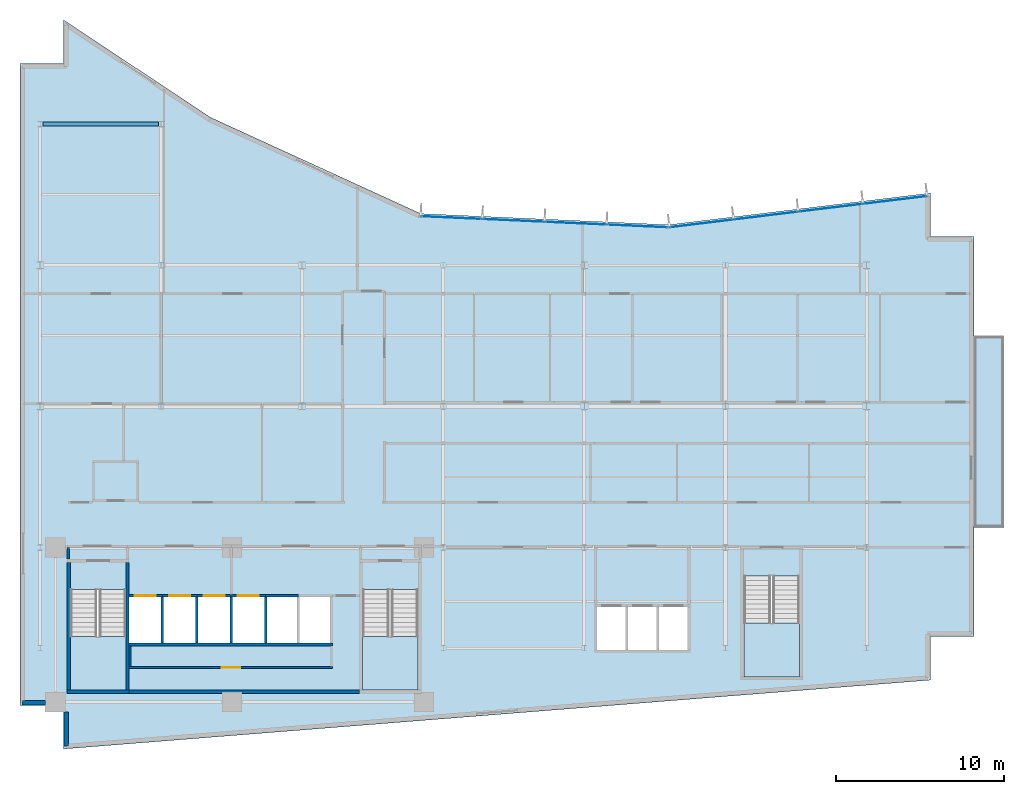
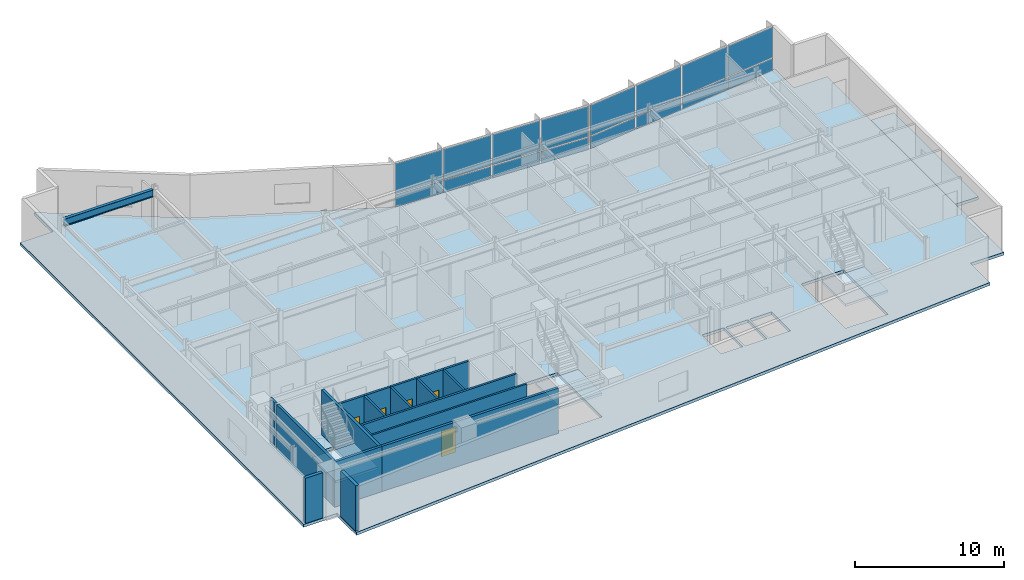
# One storey, part 8 of 17: 19 walls, 16 plates, 5 doors, 5 slabs, 1 beam, 5 openings, 5 elements without a shape of their own.
"""IFC4 building model written with IfcOpenShell, lengths in metres."""

from ifc_helpers import new_model, si_unit, direction, frame, frame_2d, origin, origin_2d, place, context, subcontext, project, spatial, polyline, rectangle, i_section, outline, extrude, material, layer, layer_set, material_profile, profile_set, type_object, element, fill, aggregate, save


model = new_model("IFC4")

# Units and contexts
model_context = context("Model", 3, precision=1e-05, world=origin(), true_north=direction((0.0, 1.0)))
body_context = subcontext(model_context, "Body", "Model", "MODEL_VIEW")
ifc_project = project(units=[si_unit("LENGTHUNIT", "METRE"), si_unit("AREAUNIT", "SQUARE_METRE"), si_unit("VOLUMEUNIT", "CUBIC_METRE"), si_unit("PLANEANGLEUNIT", "RADIAN"), si_unit("MASSUNIT", "GRAM", prefix="KILO")], contexts=[model_context])

# Site, building, storey
site_placement = place(None, origin())
site = spatial("IfcSite", under=ifc_project, at=site_placement, CompositionType="ELEMENT")
building_placement = place(site_placement, origin())
building = spatial("IfcBuilding", under=site, at=building_placement, Name="Varnakote Quay Hospital", CompositionType="ELEMENT")
storey_placement = place(building_placement, frame((0.0, 0.0, 134.949951171875)))
storey = spatial("IfcBuildingStorey", under=building, at=storey_placement, Name="L33", CompositionType="ELEMENT", Elevation=134.949951171875)

# Beam
ifc_material_1 = material(Name="Structural steel AS/NZS 3679.1 Grade 350 L0 (fy 340 MPa)", Category="steel")
ifc_material_profile = material_profile(ifc_material_1, i_section(OverallWidth=0.22802734375, OverallDepth=0.60205078125, WebThickness=0.010498046875, FlangeThickness=0.014892578125, FilletRadius=0.013916015625, at=origin_2d()), Name="610UB101")
ifc_profile_set = profile_set([ifc_material_profile], Name="Structural steel AS/NZS 3679.1 Grade 350 L0 (fy 340 MPa)")
beam_type = type_object("IfcBeamType", Name="BM-STL-610UB101", PredefinedType="BEAM", material=ifc_profile_set)
beam_placement = place(storey_placement, frame((1.3544921875, 37.199951171875, 3.408935546875), z_axis=(1.0, 0.0, 0.0), x_axis=(0.0, 1.0, 0.0)))
element("IfcBeam", 1, at=beam_placement, inside=storey, type_object=beam_type, Name="L33 Primary Floor Beam", PredefinedType="BEAM", context=body_context, shape_type="SweptSolid", body=[
    extrude(i_section(OverallWidth=0.22802734375, OverallDepth=0.60205078125, WebThickness=0.010498046875, FlangeThickness=0.014892578125, FilletRadius=0.013916015625, at=origin_2d()), origin(), (0.0, 0.0, 1.0), 6.89111328125),
])

# Curtain wall, plates
ifc_material_2 = material(Name="Anodised aluminium 6063-T6 Bronze", Category="aluminium")
ifc_layer_1 = layer(ifc_material_2, 0.205078125)
ifc_layer_set_1 = layer_set([ifc_layer_1], Name="Anodised aluminium 6063-T6 Bronze")
curtain_wall_type = type_object("IfcCurtainWallType", Name="CW-SYS-3", PredefinedType="NOTDEFINED", material=ifc_layer_set_1)
curtain_wall_1_placement = place(storey_placement, origin())
curtain_wall_1 = element("IfcCurtainWall", 2, at=curtain_wall_1_placement, inside=storey, type_object=curtain_wall_type, Name="L33 Unitised Bronze Curtain Wall 1", PredefinedType="NOTDEFINED")
ifc_material_3 = material(Name="Double-glazed low-E solar glass", Category="glass")
ifc_layer_2 = layer(ifc_material_3, 0.028076171875)
ifc_layer_set_2 = layer_set([ifc_layer_2], Name="Double-glazed low-E solar glass")
plate_type = type_object("IfcPlateType", Name="CW-PNL-GLZ-28", PredefinedType="CURTAIN_PANEL", material=ifc_layer_set_2)
plate_1_placement = place(storey_placement, frame((52.09521484375, 32.68359375, 0.0751953125), z_axis=(0.0, 0.0, 1.0), x_axis=(-0.992734295067, -0.12032713492, 0.0)))
plate_1 = element("IfcPlate", 3, at=plate_1_placement, type_object=plate_type, Name="-3-L33-1 panel 1.1", PredefinedType="CURTAIN_PANEL", context=body_context, shape_type="SweptSolid", body=[
    extrude(rectangle(XDim=3.76806640625, YDim=0.028076171875, at=origin_2d()), origin(), (0.0, 0.0, 1.0), 0.987548828125),
])
plate_2_placement = place(storey_placement, frame((52.09521484375, 32.68359375, 1.137451171875), z_axis=(0.0, 0.0, 1.0), x_axis=(-0.992734295067, -0.12032713492, 0.0)))
plate_2 = element("IfcPlate", 4, at=plate_2_placement, type_object=plate_type, Name="-3-L33-1 panel 1.2", PredefinedType="CURTAIN_PANEL", context=body_context, shape_type="SweptSolid", body=[
    extrude(rectangle(XDim=3.76806640625, YDim=0.028076171875, at=origin_2d()), origin(), (0.0, 0.0, 1.0), 2.49755859375),
])
plate_3_placement = place(storey_placement, frame((48.26123046875, 32.218994140625, 0.0751953125), z_axis=(0.0, 0.0, 1.0), x_axis=(-0.992734295067, -0.12032713492, 0.0)))
plate_3 = element("IfcPlate", 5, at=plate_3_placement, type_object=plate_type, Name="-3-L33-1 panel 2.1", PredefinedType="CURTAIN_PANEL", context=body_context, shape_type="SweptSolid", body=[
    extrude(rectangle(XDim=3.8056640625, YDim=0.028076171875, at=origin_2d()), origin(), (0.0, 0.0, 1.0), 0.987548828125),
])
plate_4_placement = place(storey_placement, frame((48.26123046875, 32.218994140625, 1.137451171875), z_axis=(0.0, 0.0, 1.0), x_axis=(-0.992734295067, -0.12032713492, 0.0)))
plate_4 = element("IfcPlate", 6, at=plate_4_placement, type_object=plate_type, Name="-3-L33-1 panel 2.2", PredefinedType="CURTAIN_PANEL", context=body_context, shape_type="SweptSolid", body=[
    extrude(rectangle(XDim=3.8056640625, YDim=0.028076171875, at=origin_2d()), origin(), (0.0, 0.0, 1.0), 2.49755859375),
])
plate_5_placement = place(storey_placement, frame((44.40869140625, 31.751953125, 0.0751953125), z_axis=(0.0, 0.0, 1.0), x_axis=(-0.992734295067, -0.12032713492, 0.0)))
plate_5 = element("IfcPlate", 7, at=plate_5_placement, type_object=plate_type, Name="-3-L33-1 panel 3.1", PredefinedType="CURTAIN_PANEL", context=body_context, shape_type="SweptSolid", body=[
    extrude(rectangle(XDim=3.8056640625, YDim=0.028076171875, at=origin_2d()), origin(), (0.0, 0.0, 1.0), 0.987548828125),
])
plate_6_placement = place(storey_placement, frame((44.40869140625, 31.751953125, 1.137451171875), z_axis=(0.0, 0.0, 1.0), x_axis=(-0.992734295067, -0.12032713492, 0.0)))
plate_6 = element("IfcPlate", 8, at=plate_6_placement, type_object=plate_type, Name="-3-L33-1 panel 3.2", PredefinedType="CURTAIN_PANEL", context=body_context, shape_type="SweptSolid", body=[
    extrude(rectangle(XDim=3.8056640625, YDim=0.028076171875, at=origin_2d()), origin(), (0.0, 0.0, 1.0), 2.49755859375),
])
plate_7_placement = place(storey_placement, frame((40.574951171875, 31.287353515625, 0.0751953125), z_axis=(0.0, 0.0, 1.0), x_axis=(-0.992734295067, -0.12032713492, 0.0)))
plate_7 = element("IfcPlate", 9, at=plate_7_placement, type_object=plate_type, Name="-3-L33-1 panel 4.1", PredefinedType="CURTAIN_PANEL", context=body_context, shape_type="SweptSolid", body=[
    extrude(rectangle(XDim=3.76806640625, YDim=0.028076171875, at=origin_2d()), origin(), (0.0, 0.0, 1.0), 0.987548828125),
])
plate_8_placement = place(storey_placement, frame((40.574951171875, 31.287353515625, 1.137451171875), z_axis=(0.0, 0.0, 1.0), x_axis=(-0.992734295067, -0.12032713492, 0.0)))
plate_8 = element("IfcPlate", 10, at=plate_8_placement, type_object=plate_type, Name="-3-L33-1 panel 4.2", PredefinedType="CURTAIN_PANEL", context=body_context, shape_type="SweptSolid", body=[
    extrude(rectangle(XDim=3.76806640625, YDim=0.028076171875, at=origin_2d()), origin(), (0.0, 0.0, 1.0), 2.49755859375),
])
aggregate(curtain_wall_1, [plate_1, plate_2, plate_3, plate_4, plate_5, plate_6, plate_7, plate_8])

curtain_wall_2_placement = place(storey_placement, origin())
curtain_wall_2 = element("IfcCurtainWall", 11, at=curtain_wall_2_placement, inside=storey, type_object=curtain_wall_type, Name="L33 Unitised Bronze Curtain Wall 2", PredefinedType="NOTDEFINED")
plate_9_placement = place(storey_placement, frame((36.759765625, 31.135498046875, 0.0751953125), z_axis=(0.0, 0.0, 1.0), x_axis=(-0.998996768014, 0.044782334659, 0.0)))
plate_9 = element("IfcPlate", 12, at=plate_9_placement, type_object=plate_type, Name="-3-L33-2 panel 1.1", PredefinedType="CURTAIN_PANEL", context=body_context, shape_type="SweptSolid", body=[
    extrude(rectangle(XDim=3.59423828125, YDim=0.028076171875, at=origin_2d()), origin(), (0.0, 0.0, 1.0), 0.987548828125),
])
plate_10_placement = place(storey_placement, frame((36.759765625, 31.135498046875, 1.137451171875), z_axis=(0.0, 0.0, 1.0), x_axis=(-0.998996768014, 0.044782334659, 0.0)))
plate_10 = element("IfcPlate", 13, at=plate_10_placement, type_object=plate_type, Name="-3-L33-2 panel 1.2", PredefinedType="CURTAIN_PANEL", context=body_context, shape_type="SweptSolid", body=[
    extrude(rectangle(XDim=3.59423828125, YDim=0.028076171875, at=origin_2d()), origin(), (0.0, 0.0, 1.0), 2.49755859375),
])
plate_11_placement = place(storey_placement, frame((33.075439453125, 31.300537109375, 0.0751953125), z_axis=(0.0, 0.0, 1.0), x_axis=(-0.998996768014, 0.044782334659, 0.0)))
plate_11 = element("IfcPlate", 14, at=plate_11_placement, type_object=plate_type, Name="-3-L33-2 panel 2.1", PredefinedType="CURTAIN_PANEL", context=body_context, shape_type="SweptSolid", body=[
    extrude(rectangle(XDim=3.6318359375, YDim=0.028076171875, at=origin_2d()), origin(), (0.0, 0.0, 1.0), 0.987548828125),
])
plate_12_placement = place(storey_placement, frame((33.075439453125, 31.300537109375, 1.137451171875), z_axis=(0.0, 0.0, 1.0), x_axis=(-0.998996768014, 0.044782334659, 0.0)))
plate_12 = element("IfcPlate", 15, at=plate_12_placement, type_object=plate_type, Name="-3-L33-2 panel 2.2", PredefinedType="CURTAIN_PANEL", context=body_context, shape_type="SweptSolid", body=[
    extrude(rectangle(XDim=3.6318359375, YDim=0.028076171875, at=origin_2d()), origin(), (0.0, 0.0, 1.0), 2.49755859375),
])
plate_13_placement = place(storey_placement, frame((29.372314453125, 31.466552734375, 0.0751953125), z_axis=(0.0, 0.0, 1.0), x_axis=(-0.998996768014, 0.044782334659, 0.0)))
plate_13 = element("IfcPlate", 16, at=plate_13_placement, type_object=plate_type, Name="-3-L33-2 panel 3.1", PredefinedType="CURTAIN_PANEL", context=body_context, shape_type="SweptSolid", body=[
    extrude(rectangle(XDim=3.6318359375, YDim=0.028076171875, at=origin_2d()), origin(), (0.0, 0.0, 1.0), 0.987548828125),
])
plate_14_placement = place(storey_placement, frame((29.372314453125, 31.466552734375, 1.137451171875), z_axis=(0.0, 0.0, 1.0), x_axis=(-0.998996768014, 0.044782334659, 0.0)))
plate_14 = element("IfcPlate", 17, at=plate_14_placement, type_object=plate_type, Name="-3-L33-2 panel 3.2", PredefinedType="CURTAIN_PANEL", context=body_context, shape_type="SweptSolid", body=[
    extrude(rectangle(XDim=3.6318359375, YDim=0.028076171875, at=origin_2d()), origin(), (0.0, 0.0, 1.0), 2.49755859375),
])
plate_15_placement = place(storey_placement, frame((25.68798828125, 31.6318359375, 0.0751953125), z_axis=(0.0, 0.0, 1.0), x_axis=(-0.998996768014, 0.044782334659, 0.0)))
plate_15 = element("IfcPlate", 18, at=plate_15_placement, type_object=plate_type, Name="-3-L33-2 panel 4.1", PredefinedType="CURTAIN_PANEL", context=body_context, shape_type="SweptSolid", body=[
    extrude(rectangle(XDim=3.59423828125, YDim=0.028076171875, at=origin_2d()), origin(), (0.0, 0.0, 1.0), 0.987548828125),
])
plate_16_placement = place(storey_placement, frame((25.68798828125, 31.6318359375, 1.137451171875), z_axis=(0.0, 0.0, 1.0), x_axis=(-0.998996768014, 0.044782334659, 0.0)))
plate_16 = element("IfcPlate", 19, at=plate_16_placement, type_object=plate_type, Name="-3-L33-2 panel 4.2", PredefinedType="CURTAIN_PANEL", context=body_context, shape_type="SweptSolid", body=[
    extrude(rectangle(XDim=3.59423828125, YDim=0.028076171875, at=origin_2d()), origin(), (0.0, 0.0, 1.0), 2.49755859375),
])
aggregate(curtain_wall_2, [plate_9, plate_10, plate_11, plate_12, plate_13, plate_14, plate_15, plate_16])

# Stair, slab
ifc_material_4 = material(Name="Concrete N40 (f'c 40 MPa)", Category="concrete")
stair_type = type_object("IfcStairType", Name="STR-CORE-1580", PredefinedType="HALF_TURN_STAIR", material=ifc_material_4)
stair_1_placement = place(storey_placement, origin())
stair_1 = element("IfcStair", 20, at=stair_1_placement, inside=storey, type_object=stair_type, Name="L33 Fire-Isolated Exit Stair ST-01", PredefinedType="HALF_TURN_STAIR")
ifc_material_5 = material(Name="Concrete N40 (f'c 40 MPa)", Category="concrete")
ifc_layer_3 = layer(ifc_material_5, 0.199951171875)
ifc_layer_set_3 = layer_set([ifc_layer_3], Name="Concrete N40 (f'c 40 MPa)")
slab_type_1 = type_object("IfcSlabType", Name="SLB-STAIR-LND-200", PredefinedType="LANDING", material=ifc_layer_set_3)
slab_1_placement = place(storey_placement, frame((0.0, 0.0, 1.775146484375)))
slab_1 = element("IfcSlab", 21, at=slab_1_placement, type_object=slab_type_1, Name="ST-01 landing 1", PredefinedType="LANDING", context=body_context, shape_type="SweptSolid", body=[
    extrude(outline(polyline([(3.0, 6.699951171875), (3.0, 3.5), (6.300048828125, 3.5), (6.300048828125, 6.699951171875), (3.0, 6.699951171875)])), origin(), (0.0, 0.0, 1.0), 0.199951171875),
])
aggregate(stair_1, [slab_1])

stair_2_placement = place(storey_placement, origin())
stair_2 = element("IfcStair", 22, at=stair_2_placement, inside=storey, type_object=stair_type, Name="L33 Fire-Isolated Exit Stair ST-02", PredefinedType="HALF_TURN_STAIR")
slab_2_placement = place(storey_placement, frame((0.0, 0.0, 1.775146484375)))
slab_2 = element("IfcSlab", 23, at=slab_2_placement, type_object=slab_type_1, Name="ST-02 landing 1", PredefinedType="LANDING", context=body_context, shape_type="SweptSolid", body=[
    extrude(outline(polyline([(20.39990234375, 6.699951171875), (20.39990234375, 3.5), (23.699951171875, 3.5), (23.699951171875, 6.699951171875), (20.39990234375, 6.699951171875)])), origin(), (0.0, 0.0, 1.0), 0.199951171875),
])
aggregate(stair_2, [slab_2])

stair_3_placement = place(storey_placement, origin())
stair_3 = element("IfcStair", 24, at=stair_3_placement, inside=storey, type_object=stair_type, Name="L33 Fire-Isolated Exit Stair ST-03", PredefinedType="HALF_TURN_STAIR")
slab_3_placement = place(storey_placement, frame((0.0, 0.0, 1.775146484375)))
slab_3 = element("IfcSlab", 25, at=slab_3_placement, type_object=slab_type_1, Name="ST-03 landing 1", PredefinedType="LANDING", context=body_context, shape_type="SweptSolid", body=[
    extrude(outline(polyline([(43.10009765625, 7.5), (43.10009765625, 4.300048828125), (46.39990234375, 4.300048828125), (46.39990234375, 7.5), (43.10009765625, 7.5)])), origin(), (0.0, 0.0, 1.0), 0.199951171875),
])
aggregate(stair_3, [slab_3])

# Slabs
ifc_material_6 = material(Name="Concrete N50 (f'c 50 MPa)", Category="concrete")
ifc_layer_4 = layer(ifc_material_6, 0.239990234375)
ifc_layer_set_4 = layer_set([ifc_layer_4], Name="Concrete N50 (f'c 50 MPa)")
slab_type_2 = type_object("IfcSlabType", Name="SLB-TERR-200", PredefinedType="FLOOR", material=ifc_layer_set_4)
slab_4_placement = place(storey_placement, frame((0.0, 0.0, -0.239990234375)))
element("IfcSlab", 26, at=slab_4_placement, inside=storey, type_object=slab_type_2, Name="L33 Waterfront Healing Terrace Slab", PredefinedType="FLOOR", context=body_context, shape_type="SweptSolid", body=[
    extrude(outline(polyline([(56.7958984375, 13.199951171875), (58.580078125, 13.199951171875), (58.580078125, 24.60009765625), (56.7958984375, 24.60009765625), (56.7958984375, 13.199951171875)])), origin(), (0.0, 0.0, 1.0), 0.239990234375),
])
ifc_material_7 = material(Name="Concrete N50 (f'c 50 MPa)", Category="concrete")
ifc_layer_5 = layer(ifc_material_7, 0.239990234375)
ifc_layer_set_5 = layer_set([ifc_layer_5], Name="Concrete N50 (f'c 50 MPa)")
slab_type_3 = type_object("IfcSlabType", Name="SLB-WARD-200", PredefinedType="FLOOR", material=ifc_layer_set_5)
slab_5_placement = place(storey_placement, frame((0.0, 0.0, -0.239990234375)))
element("IfcSlab", 27, at=slab_5_placement, inside=storey, type_object=slab_type_3, Name="L33 Primary Floor Slab", PredefinedType="FLOOR", context=body_context, shape_type="SweptSolid", body=[
    extrude(outline(polyline([(0.0, 2.60009765625), (2.60009765625, 2.60009765625), (2.60009765625, 0.0), (54.199951171875, 4.10009765625), (54.199951171875, 6.699951171875), (56.800048828125, 6.699951171875), (56.800048828125, 30.5), (54.199951171875, 30.5), (54.199951171875, 33.10009765625), (38.6240234375, 31.2119140625), (23.85595703125, 31.8740234375), (11.360107421875, 37.595947265625), (2.60009765625, 43.39990234375), (2.60009765625, 40.800048828125), (0.0, 40.800048828125), (0.0, 2.60009765625)]), holes=[polyline([(3.0, 3.5), (6.300048828125, 3.5), (6.300048828125, 9.49951171875), (3.0, 9.49951171875), (3.0, 3.5)]), polyline([(20.39990234375, 3.5), (23.699951171875, 3.5), (23.699951171875, 9.49951171875), (20.39990234375, 9.49951171875), (20.39990234375, 3.5)]), polyline([(43.10009765625, 4.300048828125), (46.39990234375, 4.300048828125), (46.39990234375, 10.29931640625), (43.10009765625, 10.29931640625), (43.10009765625, 4.300048828125)]), polyline([(6.5, 6.300048828125), (8.39990234375, 6.300048828125), (8.39990234375, 9.050048828125), (6.5, 9.050048828125), (6.5, 6.300048828125)]), polyline([(8.550048828125, 6.300048828125), (10.449951171875, 6.300048828125), (10.449951171875, 9.050048828125), (8.550048828125, 9.050048828125), (8.550048828125, 6.300048828125)]), polyline([(10.60009765625, 6.300048828125), (12.5, 6.300048828125), (12.5, 9.050048828125), (10.60009765625, 9.050048828125), (10.60009765625, 6.300048828125)]), polyline([(12.64990234375, 6.300048828125), (14.550048828125, 6.300048828125), (14.550048828125, 9.050048828125), (12.64990234375, 9.050048828125), (12.64990234375, 6.300048828125)]), polyline([(14.699951171875, 6.300048828125), (16.5, 6.300048828125), (16.5, 9.050048828125), (14.699951171875, 9.050048828125), (14.699951171875, 6.300048828125)]), polyline([(16.64990234375, 6.300048828125), (18.449951171875, 6.300048828125), (18.449951171875, 9.050048828125), (16.64990234375, 9.050048828125), (16.64990234375, 6.300048828125)]), polyline([(34.35009765625, 5.89990234375), (36.050048828125, 5.89990234375), (36.050048828125, 8.449951171875), (34.35009765625, 8.449951171875), (34.35009765625, 5.89990234375)]), polyline([(36.199951171875, 5.89990234375), (37.89990234375, 5.89990234375), (37.89990234375, 8.449951171875), (36.199951171875, 8.449951171875), (36.199951171875, 5.89990234375)]), polyline([(38.050048828125, 5.89990234375), (39.75, 5.89990234375), (39.75, 8.449951171875), (38.050048828125, 8.449951171875), (38.050048828125, 5.89990234375)])]), origin(), (0.0, 0.0, 1.0), 0.239990234375),
])

# Walls
ifc_material_8 = material(Name="Fire-rated acoustic gypsum stud wall", Category="gypsum")
ifc_layer_6 = layer(ifc_material_8, 0.159912109375)
ifc_layer_set_6 = layer_set([ifc_layer_6], Name="Fire-rated acoustic gypsum stud wall")
wall_type_1 = type_object("IfcWallType", Name="WL-COMP-160", PredefinedType="PARTITIONING", material=ifc_layer_set_6)
wall_1_placement = place(storey_placement, frame((2.8798828125, 11.300048828125, 0.0), z_axis=(0.0, 0.0, 1.0), x_axis=(0.0, 1.0, 0.0)))
element("IfcWall", 28, at=wall_1_placement, inside=storey, type_object=wall_type_1, Name="L33 West Stair Vestibule West Wall", PredefinedType="PARTITIONING", context=body_context, shape_type="SweptSolid", body=[
    extrude(rectangle(XDim=0.699951171875, YDim=0.159912109375, at=frame_2d((0.35009765625, 0.0))), origin(), (0.0, 0.0, 1.0), 3.7099609375),
])
ifc_material_9 = material(Name="Concrete N65 (f'c 65 MPa)", Category="concrete")
ifc_layer_7 = layer(ifc_material_9, 0.199951171875)
ifc_layer_set_7 = layer_set([ifc_layer_7], Name="Concrete N65 (f'c 65 MPa)")
wall_type_2 = type_object("IfcWallType", Name="WL-CORE-N65-200", PredefinedType="SHEAR", material=ifc_layer_set_7)
wall_2_placement = place(storey_placement, frame((6.5, 3.39990234375, 0.0), z_axis=(0.0, 0.0, 1.0), x_axis=(1.0, 0.0, 0.0)))
element("IfcWall", 29, at=wall_2_placement, inside=storey, type_object=wall_type_2, Name="L33 Rear Core South Shear Wall", PredefinedType="SHEAR", context=body_context, shape_type="SweptSolid", body=[
    extrude(rectangle(XDim=13.699951171875, YDim=0.199951171875, at=frame_2d((6.85009765625, 0.0))), origin(), (0.0, 0.0, 1.0), 3.7099609375),
])
ifc_material_10 = material(Name="Precast concrete N50 (f'c 50 MPa)", Category="concrete")
ifc_layer_8 = layer(ifc_material_10, 0.260009765625)
ifc_layer_set_8 = layer_set([ifc_layer_8], Name="Precast concrete N50 (f'c 50 MPa)")
wall_type_3 = type_object("IfcWallType", Name="WL-EXT-BRICK-260", PredefinedType="STANDARD", material=ifc_layer_set_8)
wall_3_placement = place(storey_placement, frame((2.760009765625, 2.215087890625, 0.0), z_axis=(0.0, 0.0, 1.0), x_axis=(0.0, -1.0, 0.0)))
element("IfcWall", 30, at=wall_3_placement, inside=storey, type_object=wall_type_3, Name="L33 Brick-Faced Precast Exterior Wall", PredefinedType="STANDARD", context=body_context, shape_type="SweptSolid", body=[
    extrude(rectangle(XDim=2.0419921875, YDim=0.260009765625, at=frame_2d((1.02099609375, 0.0))), origin(), (0.0, 0.0, 1.0), 3.7099609375),
])
wall_4_placement = place(storey_placement, frame((0.159912109375, 2.760009765625, 0.0), z_axis=(0.0, 0.0, 1.0), x_axis=(1.0, 0.0, 0.0)))
element("IfcWall", 31, at=wall_4_placement, inside=storey, type_object=wall_type_3, Name="L33 Brick-Faced Precast Exterior Wall", PredefinedType="STANDARD", context=body_context, shape_type="SweptSolid", body=[
    extrude(rectangle(XDim=1.35498046875, YDim=0.260009765625, at=frame_2d((0.677490234375, 0.0))), origin(), (0.0, 0.0, 1.0), 3.7099609375),
])
ifc_material_11 = material(Name="Concrete N50 (f'c 50 MPa)", Category="concrete")
ifc_layer_9 = layer(ifc_material_11, 0.14990234375)
ifc_layer_set_9 = layer_set([ifc_layer_9], Name="Concrete N50 (f'c 50 MPa)")
wall_type_4 = type_object("IfcWallType", Name="WL-SHAFT-N50-150", PredefinedType="SHEAR", material=ifc_layer_set_9)
for number, where, z_axis, x_axis, name in (
    (32, (8.47509765625, 6.300048828125, 0.0), (0.0, 0.0, 1.0), (0.0, 1.0, 0.0), "L33 LF-FF1 Hoistway Divider Wall"),
    (33, (10.52490234375, 6.300048828125, 0.0), (0.0, 0.0, 1.0), (0.0, 1.0, 0.0), "L33 LF-FF2 Hoistway Divider Wall"),
    (34, (12.574951171875, 6.300048828125, 0.0), (0.0, 0.0, 1.0), (0.0, 1.0, 0.0), "L33 LF-SV1 Hoistway Divider Wall"),
    (35, (14.625, 6.300048828125, 0.0), (0.0, 0.0, 1.0), (0.0, 1.0, 0.0), "L33 LF-SV2 Hoistway Divider Wall"),
):
    element("IfcWall", number, at=place(storey_placement, frame(where, z_axis=z_axis, x_axis=x_axis)), inside=storey, type_object=wall_type_4, Name=name, PredefinedType="SHEAR", context=body_context, shape_type="SweptSolid", body=[
        extrude(rectangle(XDim=2.75, YDim=0.14990234375, at=frame_2d((1.375, 0.0))), origin(), (0.0, 0.0, 1.0), 3.7099609375),
    ])
ifc_material_12 = material(Name="Concrete N50 (f'c 50 MPa)", Category="concrete")
ifc_layer_10 = layer(ifc_material_12, 0.159912109375)
ifc_layer_set_10 = layer_set([ifc_layer_10], Name="Concrete N50 (f'c 50 MPa)")
wall_type_5 = type_object("IfcWallType", Name="WL-SHAFT-N50-160", PredefinedType="SHEAR", material=ifc_layer_set_10)
wall_5_placement = place(storey_placement, frame((6.5, 6.219970703125, 0.0), z_axis=(0.0, 0.0, 1.0), x_axis=(1.0, 0.0, 0.0)))
element("IfcWall", 36, at=wall_5_placement, inside=storey, type_object=wall_type_5, Name="L33 REAR Lift Bank Back Shear Wall", PredefinedType="SHEAR", context=body_context, shape_type="SweptSolid", body=[
    extrude(rectangle(XDim=12.110107421875, YDim=0.159912109375, at=frame_2d((6.05517578125, 0.0))), origin(), (0.0, 0.0, 1.0), 3.7099609375),
])

# Wall, opening, door
wall_6_placement = place(storey_placement, frame((6.5, 9.1298828125, 0.0), z_axis=(0.0, 0.0, 1.0), x_axis=(1.0, 0.0, 0.0)))
wall_6 = element("IfcWall", 37, at=wall_6_placement, inside=storey, type_object=wall_type_5, Name="L33 LF-FF1 Hoistway Front Wall", PredefinedType="SHEAR", context=body_context, shape_type="SweptSolid", body=[
    extrude(rectangle(XDim=1.97509765625, YDim=0.159912109375, at=frame_2d((0.987548828125, 0.0))), origin(), (0.0, 0.0, 1.0), 3.7099609375),
])
opening_1_placement = place(wall_6_placement, frame((0.324951171875, 0.0, 0.0)))
opening_1 = element("IfcOpeningElement", 38, at=opening_1_placement, cuts=wall_6, Name="Opening LD-FF1-L33", PredefinedType="OPENING", context=body_context, shape_type="SweptSolid", body=[
    extrude(rectangle(XDim=1.25, YDim=2.14990234375, at=frame_2d((0.625, 1.074951171875))), frame((0.0, 0.08984375, 0.0), z_axis=(0.0, -1.0, 0.0), x_axis=(1.0, 0.0, 0.0)), (0.0, 0.0, 1.0), 0.179931640625),
])
ifc_material_13 = material(Name="Stainless steel lift landing sliding door", Category="steel")
door_type_1 = type_object("IfcDoorType", Name="DR-LIFT-LD-1250x2150", OperationType="NOTDEFINED", PredefinedType="DOOR", material=ifc_material_13)
door_1_placement = place(opening_1_placement, origin())
door_1 = element("IfcDoor", 39, at=door_1_placement, inside=storey, type_object=door_type_1, Name="L33 LF-FF1 Lift Landing Sliding Door", OperationType="SLIDING_TO_LEFT", OverallHeight=2.14990234375, OverallWidth=1.25, PredefinedType="DOOR", context=body_context, shape_type="SweptSolid", body=[
    extrude(rectangle(XDim=1.25, YDim=2.14990234375, at=frame_2d((0.625, 1.074951171875))), frame((0.0, 0.02490234375, 0.0), z_axis=(0.0, -1.0, 0.0), x_axis=(1.0, 0.0, 0.0)), (0.0, 0.0, 1.0), 0.050048828125),
])
fill(opening_1, door_1)

wall_7_placement = place(storey_placement, frame((8.47509765625, 9.1298828125, 0.0), z_axis=(0.0, 0.0, 1.0), x_axis=(1.0, 0.0, 0.0)))
wall_7 = element("IfcWall", 40, at=wall_7_placement, inside=storey, type_object=wall_type_5, Name="L33 LF-FF2 Hoistway Front Wall", PredefinedType="SHEAR", context=body_context, shape_type="SweptSolid", body=[
    extrude(rectangle(XDim=2.0498046875, YDim=0.159912109375, at=frame_2d((1.02490234375, 0.0))), origin(), (0.0, 0.0, 1.0), 3.7099609375),
])
opening_2_placement = place(wall_7_placement, frame((0.39990234375, 0.0, 0.0)))
opening_2 = element("IfcOpeningElement", 41, at=opening_2_placement, cuts=wall_7, Name="Opening LD-FF2-L33", PredefinedType="OPENING", context=body_context, shape_type="SweptSolid", body=[
    extrude(rectangle(XDim=1.25, YDim=2.14990234375, at=frame_2d((0.625, 1.074951171875))), frame((0.0, 0.08984375, 0.0), z_axis=(0.0, -1.0, 0.0), x_axis=(1.0, 0.0, 0.0)), (0.0, 0.0, 1.0), 0.179931640625),
])
door_2_placement = place(opening_2_placement, origin())
door_2 = element("IfcDoor", 42, at=door_2_placement, inside=storey, type_object=door_type_1, Name="L33 LF-FF2 Lift Landing Sliding Door", OperationType="SLIDING_TO_LEFT", OverallHeight=2.14990234375, OverallWidth=1.25, PredefinedType="DOOR", context=body_context, shape_type="SweptSolid", body=[
    extrude(rectangle(XDim=1.25, YDim=2.14990234375, at=frame_2d((0.625, 1.074951171875))), frame((0.0, 0.02490234375, 0.0), z_axis=(0.0, -1.0, 0.0), x_axis=(1.0, 0.0, 0.0)), (0.0, 0.0, 1.0), 0.050048828125),
])
fill(opening_2, door_2)

wall_8_placement = place(storey_placement, frame((10.52490234375, 9.1298828125, 0.0), z_axis=(0.0, 0.0, 1.0), x_axis=(1.0, 0.0, 0.0)))
wall_8 = element("IfcWall", 43, at=wall_8_placement, inside=storey, type_object=wall_type_5, Name="L33 LF-SV1 Hoistway Front Wall", PredefinedType="SHEAR", context=body_context, shape_type="SweptSolid", body=[
    extrude(rectangle(XDim=2.050048828125, YDim=0.159912109375, at=frame_2d((1.02490234375, 0.0))), origin(), (0.0, 0.0, 1.0), 3.7099609375),
])
opening_3_placement = place(wall_8_placement, frame((0.39990234375, 0.0, 0.0)))
opening_3 = element("IfcOpeningElement", 44, at=opening_3_placement, cuts=wall_8, Name="Opening LD-SV1-L33", PredefinedType="OPENING", context=body_context, shape_type="SweptSolid", body=[
    extrude(rectangle(XDim=1.25, YDim=2.14990234375, at=frame_2d((0.625, 1.074951171875))), frame((0.0, 0.08984375, 0.0), z_axis=(0.0, -1.0, 0.0), x_axis=(1.0, 0.0, 0.0)), (0.0, 0.0, 1.0), 0.179931640625),
])
door_3_placement = place(opening_3_placement, origin())
door_3 = element("IfcDoor", 45, at=door_3_placement, inside=storey, type_object=door_type_1, Name="L33 LF-SV1 Lift Landing Sliding Door", OperationType="SLIDING_TO_LEFT", OverallHeight=2.14990234375, OverallWidth=1.25, PredefinedType="DOOR", context=body_context, shape_type="SweptSolid", body=[
    extrude(rectangle(XDim=1.25, YDim=2.14990234375, at=frame_2d((0.625, 1.074951171875))), frame((0.0, 0.02490234375, 0.0), z_axis=(0.0, -1.0, 0.0), x_axis=(1.0, 0.0, 0.0)), (0.0, 0.0, 1.0), 0.050048828125),
])
fill(opening_3, door_3)

wall_9_placement = place(storey_placement, frame((12.574951171875, 9.1298828125, 0.0), z_axis=(0.0, 0.0, 1.0), x_axis=(1.0, 0.0, 0.0)))
wall_9 = element("IfcWall", 46, at=wall_9_placement, inside=storey, type_object=wall_type_5, Name="L33 LF-SV2 Hoistway Front Wall", PredefinedType="SHEAR", context=body_context, shape_type="SweptSolid", body=[
    extrude(rectangle(XDim=2.050048828125, YDim=0.159912109375, at=frame_2d((1.02490234375, 0.0))), origin(), (0.0, 0.0, 1.0), 3.7099609375),
])
opening_4_placement = place(wall_9_placement, frame((0.39990234375, 0.0, 0.0)))
opening_4 = element("IfcOpeningElement", 47, at=opening_4_placement, cuts=wall_9, Name="Opening LD-SV2-L33", PredefinedType="OPENING", context=body_context, shape_type="SweptSolid", body=[
    extrude(rectangle(XDim=1.25, YDim=2.14990234375, at=frame_2d((0.625, 1.074951171875))), frame((0.0, 0.08984375, 0.0), z_axis=(0.0, -1.0, 0.0), x_axis=(1.0, 0.0, 0.0)), (0.0, 0.0, 1.0), 0.179931640625),
])
door_4_placement = place(opening_4_placement, origin())
door_4 = element("IfcDoor", 48, at=door_4_placement, inside=storey, type_object=door_type_1, Name="L33 LF-SV2 Lift Landing Sliding Door", OperationType="SLIDING_TO_LEFT", OverallHeight=2.14990234375, OverallWidth=1.25, PredefinedType="DOOR", context=body_context, shape_type="SweptSolid", body=[
    extrude(rectangle(XDim=1.25, YDim=2.14990234375, at=frame_2d((0.625, 1.074951171875))), frame((0.0, 0.02490234375, 0.0), z_axis=(0.0, -1.0, 0.0), x_axis=(1.0, 0.0, 0.0)), (0.0, 0.0, 1.0), 0.050048828125),
])
fill(opening_4, door_4)

# Walls
wall_10_placement = place(storey_placement, frame((14.625, 9.1298828125, 0.0), z_axis=(0.0, 0.0, 1.0), x_axis=(1.0, 0.0, 0.0)))
element("IfcWall", 49, at=wall_10_placement, inside=storey, type_object=wall_type_5, Name="L33 LF-PH1 Hoistway Front Wall", PredefinedType="SHEAR", context=body_context, shape_type="SweptSolid", body=[
    extrude(rectangle(XDim=1.949951171875, YDim=0.159912109375, at=frame_2d((0.97509765625, 0.0))), origin(), (0.0, 0.0, 1.0), 3.7099609375),
])
ifc_material_14 = material(Name="Concrete N50 (f'c 50 MPa)", Category="concrete")
ifc_layer_11 = layer(ifc_material_14, 0.199951171875)
ifc_layer_set_11 = layer_set([ifc_layer_11], Name="Concrete N50 (f'c 50 MPa)")
wall_type_6 = type_object("IfcWallType", Name="WL-SHAFT-N50-200", PredefinedType="SHEAR", material=ifc_layer_set_11)
wall_11_placement = place(storey_placement, frame((2.800048828125, 3.39990234375, 0.0), z_axis=(0.0, 0.0, 1.0), x_axis=(1.0, 0.0, 0.0)))
element("IfcWall", 50, at=wall_11_placement, inside=storey, type_object=wall_type_6, Name="L33 Stair ST1 South Shaft Wall", PredefinedType="SHEAR", context=body_context, shape_type="SweptSolid", body=[
    extrude(rectangle(XDim=3.699951171875, YDim=0.199951171875, at=frame_2d((1.85009765625, 0.0))), origin(), (0.0, 0.0, 1.0), 3.7099609375),
])
for number, where, z_axis, x_axis, name in (
    (51, (2.89990234375, 3.5, 0.0), (0.0, 0.0, 1.0), (0.0, 1.0, 0.0), "L33 Stair ST1 West Shaft Wall"),
    (52, (6.39990234375, 3.5, 0.0), (0.0, 0.0, 1.0), (0.0, 1.0, 0.0), "L33 Stair ST1 East Shaft Wall"),
):
    element("IfcWall", number, at=place(storey_placement, frame(where, z_axis=z_axis, x_axis=x_axis)), inside=storey, type_object=wall_type_6, Name=name, PredefinedType="SHEAR", context=body_context, shape_type="SweptSolid", body=[
        extrude(rectangle(XDim=7.60009765625, YDim=0.199951171875, at=frame_2d((3.800048828125, 0.0))), origin(), (0.0, 0.0, 1.0), 3.7099609375),
    ])
ifc_material_15 = material(Name="Smoke-proof clinical partition", Category="gypsum")
ifc_layer_12 = layer(ifc_material_15, 0.1201171875)
ifc_layer_set_12 = layer_set([ifc_layer_12], Name="Smoke-proof clinical partition")
wall_type_7 = type_object("IfcWallType", Name="WL-SMOKE-120", PredefinedType="PARTITIONING", material=ifc_layer_set_12)
wall_12_placement = place(storey_placement, frame((6.56005859375, 4.919921875, 0.0), z_axis=(0.0, 0.0, 1.0), x_axis=(0.0, 1.0, 0.0)))
element("IfcWall", 53, at=wall_12_placement, inside=storey, type_object=wall_type_7, Name="L33 Core Service Strip West Wall", PredefinedType="PARTITIONING", context=body_context, shape_type="SweptSolid", body=[
    extrude(rectangle(XDim=1.219970703125, YDim=0.1201171875, at=frame_2d((0.60986328125, 0.0))), origin(), (0.0, 0.0, 1.0), 3.7099609375),
])

# Wall, opening, door
ifc_material_16 = material(Name="Fire-rated clinical gypsum partition", Category="gypsum")
ifc_layer_13 = layer(ifc_material_16, 0.139892578125)
ifc_layer_set_13 = layer_set([ifc_layer_13], Name="Fire-rated clinical gypsum partition")
wall_type_8 = type_object("IfcWallType", Name="WL-WARD-140", PredefinedType="PARTITIONING", material=ifc_layer_set_13)
wall_13_placement = place(storey_placement, frame((6.5, 4.85009765625, 0.0), z_axis=(0.0, 0.0, 1.0), x_axis=(1.0, 0.0, 0.0)))
wall_13 = element("IfcWall", 54, at=wall_13_placement, inside=storey, type_object=wall_type_8, Name="L33 Core Clean Linen Store South Wall", PredefinedType="PARTITIONING", context=body_context, shape_type="SweptSolid", body=[
    extrude(rectangle(XDim=12.10009765625, YDim=0.139892578125, at=frame_2d((6.050048828125, 0.0))), origin(), (0.0, 0.0, 1.0), 3.7099609375),
])
opening_5_placement = place(wall_13_placement, frame((5.5, 0.0, 0.0)))
opening_5 = element("IfcOpeningElement", 55, at=opening_5_placement, cuts=wall_13, Name="Opening D-L33-CR01", PredefinedType="OPENING", context=body_context, shape_type="SweptSolid", body=[
    extrude(rectangle(XDim=1.10009765625, YDim=2.10009765625, at=frame_2d((0.550048828125, 1.050048828125))), frame((0.0, 0.079833984375, 0.0), z_axis=(0.0, -1.0, 0.0), x_axis=(1.0, 0.0, 0.0)), (0.0, 0.0, 1.0), 0.159912109375),
])
ifc_material_17 = material(Name="Acoustic timber clinical consult door", Category="wood")
door_type_2 = type_object("IfcDoorType", Name="DR-CLIN-FD30S-1100x2100", OperationType="NOTDEFINED", PredefinedType="DOOR", material=ifc_material_17)
door_5_placement = place(opening_5_placement, origin())
door_5 = element("IfcDoor", 56, at=door_5_placement, inside=storey, type_object=door_type_2, Name="L33 Core Clean Linen Store Door", OperationType="SINGLE_SWING_LEFT", OverallHeight=2.10009765625, OverallWidth=1.10009765625, PredefinedType="DOOR", context=body_context, shape_type="SweptSolid", body=[
    extrude(rectangle(XDim=1.10009765625, YDim=2.10009765625, at=frame_2d((0.550048828125, 1.050048828125))), frame((0.0, 0.02490234375, 0.0), z_axis=(0.0, -1.0, 0.0), x_axis=(1.0, 0.0, 0.0)), (0.0, 0.0, 1.0), 0.050048828125),
])
fill(opening_5, door_5)

save(model, "model.ifc")
